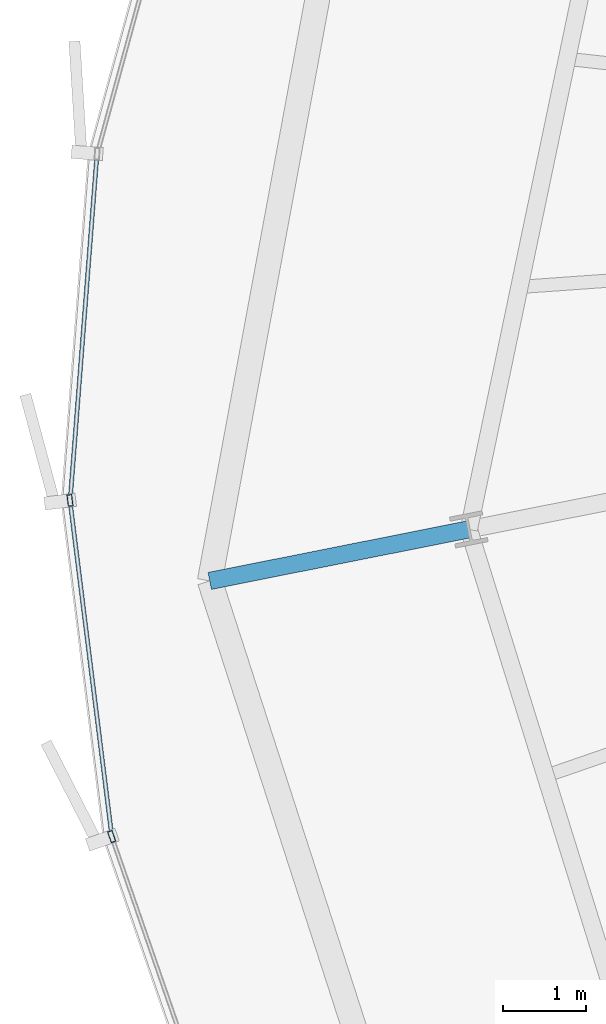
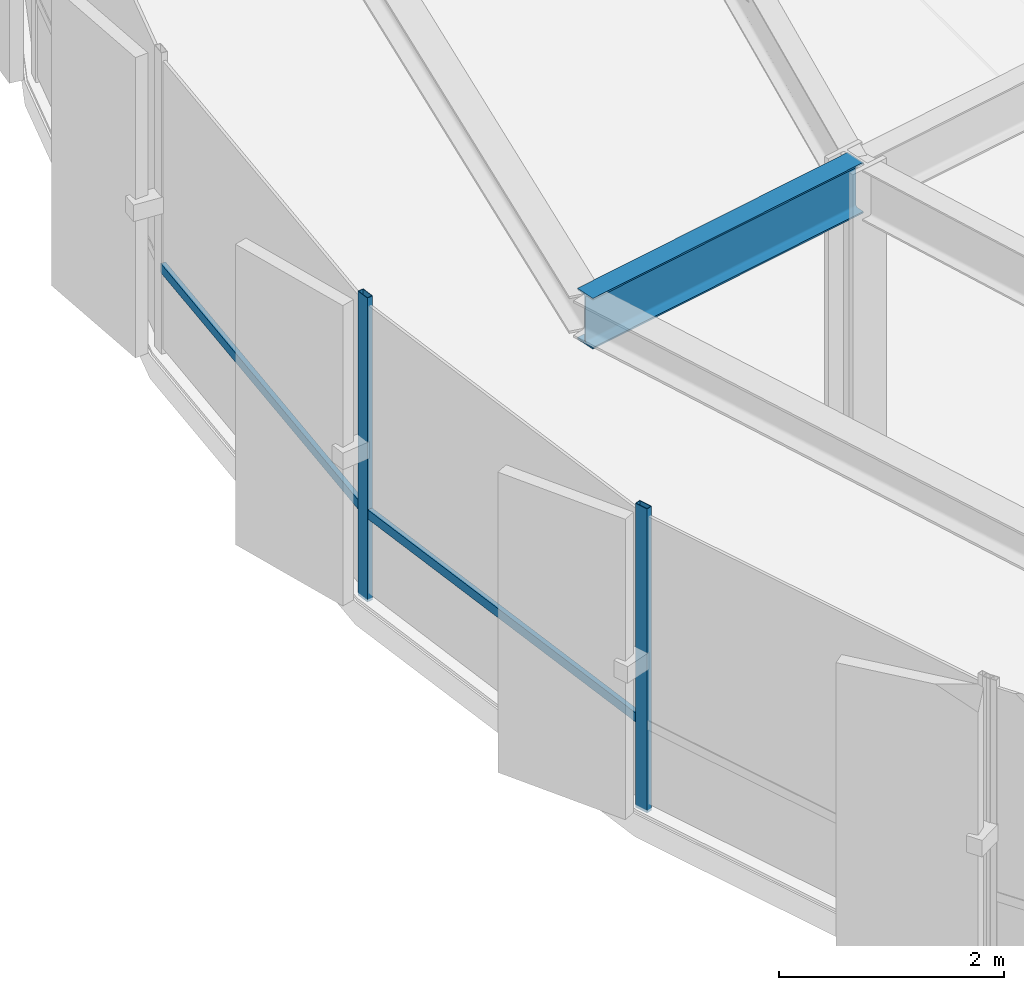
# One storey, part 8 of 35: 4 members, 1 beam, 1 element without a shape of its own.
"""IFC4 building model written with IfcOpenShell, lengths in metres."""

from ifc_helpers import new_model, si_unit, direction, frame, origin, origin_2d, place, context, subcontext, project, spatial, hollow_rectangle, i_section, extrude, source, transform, mapped, material, layer, layer_set, material_profile, profile_set, type_object, element, aggregate, save


model = new_model("IFC4")

# Units and contexts
model_context = context("Model", 3, precision=1e-05, world=origin(), true_north=direction((0.0, 1.0)))
body_context = subcontext(model_context, "Body", "Model", "MODEL_VIEW")
ifc_project = project(units=[si_unit("LENGTHUNIT", "METRE"), si_unit("AREAUNIT", "SQUARE_METRE"), si_unit("VOLUMEUNIT", "CUBIC_METRE"), si_unit("PLANEANGLEUNIT", "RADIAN"), si_unit("MASSUNIT", "GRAM", prefix="KILO"), si_unit("THERMODYNAMICTEMPERATUREUNIT", "KELVIN")], contexts=[model_context])

# Site, building, storey
site_placement = place(None, origin())
site = spatial("IfcSite", under=ifc_project, at=site_placement, CompositionType="ELEMENT")
building_placement = place(site_placement, origin())
building = spatial("IfcBuilding", under=site, at=building_placement, Name="Kethvar Cultural Tower", CompositionType="ELEMENT")
storey_placement = place(building_placement, frame((0.0, 0.0, 135.89990234375)))
storey = spatial("IfcBuildingStorey", under=building, at=storey_placement, Name="L34", CompositionType="ELEMENT", Elevation=135.89990234375)

# Beam
ifc_material_1 = material(Name="Steel S355J2", Category="steel")
ifc_material_profile_1 = material_profile(ifc_material_1, i_section(OverallWidth=0.2099609375, OverallDepth=0.550048828125, WebThickness=0.010986328125, FlangeThickness=0.01708984375, FilletRadius=0.02392578125, at=origin_2d()), Name="Steel S355J2 — IPE550")
ifc_profile_set_1 = profile_set([ifc_material_profile_1], Name="Steel S355J2 — IPE550")
beam_type = type_object("IfcBeamType", Name="BM-IPE550", PredefinedType="BEAM", material=ifc_profile_set_1)
shared_shape_1 = source(origin(), body_context, "Body", "SweptSolid", [
    extrude(i_section(OverallWidth=0.2099609375, OverallDepth=0.550048828125, WebThickness=0.010986328125, FlangeThickness=0.01708984375, FilletRadius=0.02392578125, at=origin_2d()), origin(), (0.0, 0.0, 1.0), 3.199951171875),
])
beam_placement = place(storey_placement, frame((24.185302734375, 23.3017578125, 3.023193359375), z_axis=(-0.980785550224, -0.195088965533, 0.0), x_axis=(0.195088965533, -0.980785550224, 0.0)))
element("IfcBeam", 1, at=beam_placement, inside=storey, type_object=beam_type, Name="L34 Perimeter Cantilever Beam RC-09", PredefinedType="BEAM", context=body_context, shape_type="MappedRepresentation", body=[
    mapped(shared_shape_1, transform((0.0, 0.0, 0.0), scale=1.0)),
])

# Curtain wall, members
ifc_material_2 = material(Name="Aluminium 6063-T6", Category="aluminium")
ifc_layer = layer(ifc_material_2, 0.179931640625, Name="Aluminium 6063-T6", Category="aluminium")
ifc_layer_set = layer_set([ifc_layer], Name="Aluminium 6063-T6 (180 mm)")
curtain_wall_type = type_object("IfcCurtainWallType", Name="CW-SYS-04-Z34", PredefinedType="NOTDEFINED", material=ifc_layer_set)
curtain_wall_placement = place(storey_placement, origin())
curtain_wall = element("IfcCurtainWall", 2, at=curtain_wall_placement, inside=storey, type_object=curtain_wall_type, Name="L34 Curtain Wall Run 03", PredefinedType="NOTDEFINED")
ifc_material_profile_2 = material_profile(ifc_material_2, hollow_rectangle(XDim=0.06005859375, YDim=0.139892578125, WallThickness=0.0048828125, at=origin_2d()), Name="Aluminium 6063-T6 — RHS140x60x5")
ifc_profile_set_2 = profile_set([ifc_material_profile_2], Name="Aluminium 6063-T6 — RHS140x60x5")
member_type_1 = type_object("IfcMemberType", Name="CW-SYS-04-Z34-MUL", PredefinedType="MULLION", material=ifc_profile_set_2)
shared_shape_2 = source(origin(), body_context, "Body", "SweptSolid", [
    extrude(hollow_rectangle(XDim=0.06005859375, YDim=0.139892578125, WallThickness=0.0048828125, at=origin_2d()), origin(), (0.0, 0.0, 1.0), 3.300048828125),
])
member_1_placement = place(storey_placement, frame((19.353515625, 23.65283203125, 0.0), z_axis=(0.0, 0.0, 1.0), x_axis=(0.992331937885, 0.12360147674, 0.0)))
member_1 = element("IfcMember", 3, at=member_1_placement, type_object=member_type_1, Name="CW-L34-R03 Mullion 5", PredefinedType="MULLION", context=body_context, shape_type="MappedRepresentation", body=[
    mapped(shared_shape_2, transform((0.0, 0.0, 0.0), scale=1.0)),
])
member_2_placement = place(storey_placement, frame((19.8583984375, 19.580078125, 0.0), z_axis=(0.0, 0.0, 1.0), x_axis=(0.944903214709, 0.327349835547, 0.0)))
member_2 = element("IfcMember", 4, at=member_2_placement, type_object=member_type_1, Name="CW-L34-R03 Mullion 6", PredefinedType="MULLION", context=body_context, shape_type="MappedRepresentation", body=[
    mapped(shared_shape_2, transform((0.0, 0.0, 0.0), scale=1.0)),
])
ifc_material_profile_3 = material_profile(ifc_material_2, hollow_rectangle(XDim=0.050048828125, YDim=0.10009765625, WallThickness=0.00390625, at=origin_2d()), Name="Aluminium 6063-T6 — RHS100x50x4")
ifc_profile_set_3 = profile_set([ifc_material_profile_3], Name="Aluminium 6063-T6 — RHS100x50x4")
member_type_2 = type_object("IfcMemberType", Name="CW-SYS-04-Z34-TRN", PredefinedType="USERDEFINED", material=ifc_profile_set_3)
shared_shape_3 = source(origin(), body_context, "Body", "SweptSolid", [
    extrude(hollow_rectangle(XDim=0.050048828125, YDim=0.10009765625, WallThickness=0.00390625, at=origin_2d()), origin(), (0.0, 0.0, 1.0), 4.14794921875),
])
member_3_placement = place(storey_placement, frame((19.677978515625, 27.809326171875, 0.9501953125), z_axis=(-0.077281611449, -0.997009304135, 0.0), x_axis=(0.997009304135, -0.077281611449, 0.0)))
member_3 = element("IfcMember", 5, at=member_3_placement, type_object=member_type_2, Name="CW-L34-R03 Transom 4", ObjectType="TRANSOM", PredefinedType="USERDEFINED", context=body_context, shape_type="MappedRepresentation", body=[
    mapped(shared_shape_3, transform((0.0, 0.0, 0.0), scale=1.0)),
])
shared_shape_4 = source(origin(), body_context, "Body", "SweptSolid", [
    extrude(hollow_rectangle(XDim=0.050048828125, YDim=0.10009765625, WallThickness=0.00390625, at=origin_2d()), origin(), (0.0, 0.0, 1.0), 4.04052734375),
])
member_4_placement = place(storey_placement, frame((19.35888671875, 23.610107421875, 0.9501953125), z_axis=(0.123566205678, -0.992336330492, 0.0), x_axis=(0.992336330492, 0.123566205678, 0.0)))
member_4 = element("IfcMember", 6, at=member_4_placement, type_object=member_type_2, Name="CW-L34-R03 Transom 5", ObjectType="TRANSOM", PredefinedType="USERDEFINED", context=body_context, shape_type="MappedRepresentation", body=[
    mapped(shared_shape_4, transform((0.0, 0.0, 0.0), scale=1.0)),
])
aggregate(curtain_wall, [member_1, member_2, member_3, member_4])

save(model, "model.ifc")
